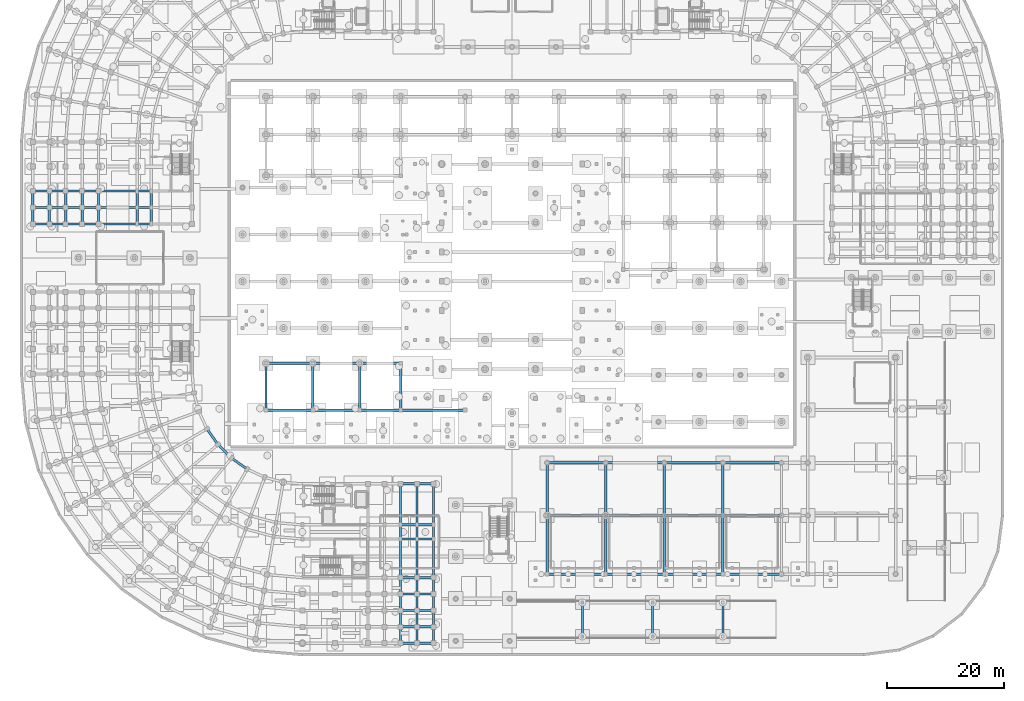
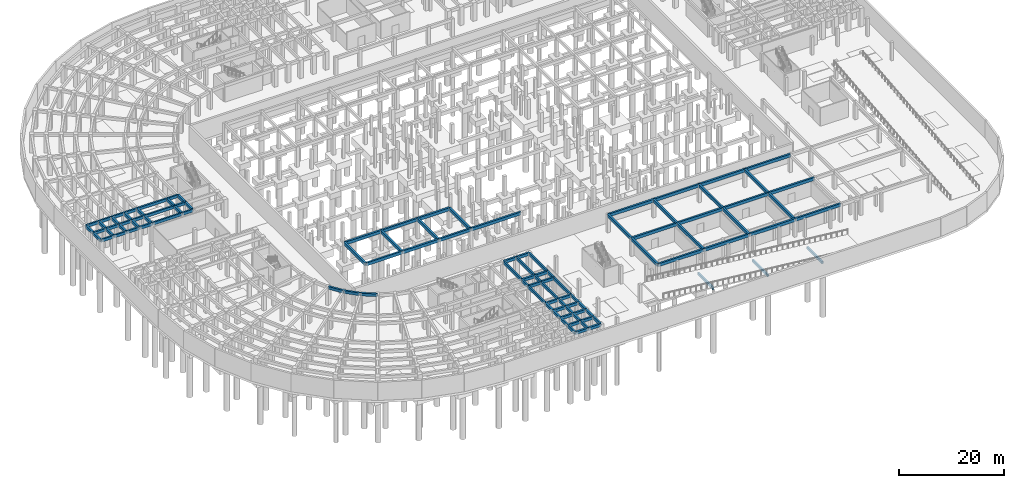
# One storey, part 21 of 53: 106 beams.
"""IFC4 building model written with IfcOpenShell, lengths in metres."""

from ifc_helpers import new_model, si_unit, direction, frame, origin, origin_2d, place, context, subcontext, project, spatial, rectangle, extrude, material, material_profile, profile_set, type_object, element, save


model = new_model("IFC4")

# Units and contexts
model_context = context("Model", 3, precision=1e-05, world=origin(), true_north=direction((0.0, 1.0)))
body_context = subcontext(model_context, "Body", "Model", "MODEL_VIEW")
ifc_project = project(units=[si_unit("LENGTHUNIT", "METRE"), si_unit("AREAUNIT", "SQUARE_METRE"), si_unit("VOLUMEUNIT", "CUBIC_METRE"), si_unit("PLANEANGLEUNIT", "RADIAN"), si_unit("MASSUNIT", "GRAM", prefix="KILO")], contexts=[model_context])

# Site, building, storey
site_placement = place(None, origin())
site = spatial("IfcSite", under=ifc_project, at=site_placement, CompositionType="ELEMENT")
building_placement = place(site_placement, origin())
building = spatial("IfcBuilding", under=site, at=building_placement, Name="Kiranvali Square Residences", CompositionType="ELEMENT")
storey_placement = place(building_placement, frame((0.0, 0.0, -4.5)))
storey = spatial("IfcBuildingStorey", under=building, at=storey_placement, Name="B1", CompositionType="ELEMENT", Elevation=-4.5)

# Beams
ifc_material_1 = material(Name="Concrete M40 (40 MPa)", Category="concrete")
ifc_material_profile_1 = material_profile(ifc_material_1, rectangle(XDim=0.35009765625, YDim=0.550048828125, at=origin_2d()), Name="RC 350x550")
ifc_profile_set_1 = profile_set([ifc_material_profile_1], Name="Concrete M40 (40 MPa)")
beam_type_1 = type_object("IfcBeamType", Name="BM-M40-350x550", PredefinedType="BEAM", material=ifc_profile_set_1)
for number, where, z_axis, x_axis, name in (
    (1, (96.0, 3.35009765625, 2.7451171875), (0.0, 1.0, 0.0), (-1.0, 0.0, 0.0), "B1 beam BM-VR1-SUP-1"),
    (2, (108.0, 3.35009765625, 1.544921875), (0.0, 1.0, 0.0), (-1.0, 0.0, 0.0), "B1 beam BM-VR1-SUP-2"),
    (3, (120.0, 3.35009765625, 0.344970703125), (0.0, 1.0, 0.0), (-1.0, 0.0, 0.0), "B1 beam BM-VR1-SUP-3"),
):
    element("IfcBeam", number, at=place(storey_placement, frame(where, z_axis=z_axis, x_axis=x_axis)), inside=storey, type_object=beam_type_1, Name=name, PredefinedType="BEAM", context=body_context, shape_type="SweptSolid", body=[
        extrude(rectangle(XDim=0.35009765625, YDim=0.550048828125, at=origin_2d()), origin(), (0.0, 0.0, 1.0), 5.7998046875),
    ])
ifc_material_profile_2 = material_profile(ifc_material_1, rectangle(XDim=0.35009765625, YDim=0.64990234375, at=origin_2d()), Name="RC 350x650")
ifc_profile_set_2 = profile_set([ifc_material_profile_2], Name="Concrete M40 (40 MPa)")
beam_type_2 = type_object("IfcBeamType", Name="BM-M40-350x650", PredefinedType="BEAM", material=ifc_profile_set_2)
beam_1_placement = place(storey_placement, frame((22.39990234375, 79.39990234375, 3.955078125), z_axis=(-1.0, 0.0, 0.0), x_axis=(0.0, -1.0, 0.0)))
element("IfcBeam", 4, at=beam_1_placement, inside=storey, type_object=beam_type_2, Name="B1 beam BM-A-B1-A2T1-12", PredefinedType="BEAM", context=body_context, shape_type="SweptSolid", body=[
    extrude(rectangle(XDim=0.35009765625, YDim=0.64990234375, at=origin_2d()), origin(), (0.0, 0.0, 1.0), 2.39990234375),
])
beam_2_placement = place(storey_placement, frame((20.0, 79.39990234375, 3.955078125), z_axis=(-1.0, 0.0, 0.0), x_axis=(0.0, -1.0, 0.0)))
element("IfcBeam", 5, at=beam_2_placement, inside=storey, type_object=beam_type_2, Name="B1 beam BM-A-B1-A2T1-23", PredefinedType="BEAM", context=body_context, shape_type="SweptSolid", body=[
    extrude(rectangle(XDim=0.35009765625, YDim=0.64990234375, at=origin_2d()), origin(), (0.0, 0.0, 1.0), 6.60009765625),
])
beam_3_placement = place(storey_placement, frame((13.39990234375, 79.39990234375, 3.955078125), z_axis=(-1.0, 0.0, 0.0), x_axis=(0.0, -1.0, 0.0)))
element("IfcBeam", 6, at=beam_3_placement, inside=storey, type_object=beam_type_2, Name="B1 beam BM-A-B1-A2T1-34", PredefinedType="BEAM", context=body_context, shape_type="SweptSolid", body=[
    extrude(rectangle(XDim=0.35009765625, YDim=0.64990234375, at=origin_2d()), origin(), (0.0, 0.0, 1.0), 2.7998046875),
])
for number, where, z_axis, x_axis, name in (
    (7, (10.60009765625, 79.39990234375, 3.955078125), (-1.0, 0.0, 0.0), (0.0, -1.0, 0.0), "B1 beam BM-A-B1-A2T1-45"),
    (8, (7.800048828125, 79.39990234375, 3.955078125), (-1.0, 0.0, 0.0), (0.0, -1.0, 0.0), "B1 beam BM-A-B1-A2T1-56"),
    (9, (5.0, 79.39990234375, 3.955078125), (-1.0, 0.0, 0.0), (0.0, -1.0, 0.0), "B1 beam BM-A-B1-A2T1-67"),
):
    element("IfcBeam", number, at=place(storey_placement, frame(where, z_axis=z_axis, x_axis=x_axis)), inside=storey, type_object=beam_type_2, Name=name, PredefinedType="BEAM", context=body_context, shape_type="SweptSolid", body=[
        extrude(rectangle(XDim=0.35009765625, YDim=0.64990234375, at=origin_2d()), origin(), (0.0, 0.0, 1.0), 2.800048828125),
    ])
beam_4_placement = place(storey_placement, frame((22.39990234375, 76.60009765625, 3.955078125), z_axis=(-1.0, 0.0, 0.0), x_axis=(0.0, -1.0, 0.0)))
element("IfcBeam", 10, at=beam_4_placement, inside=storey, type_object=beam_type_2, Name="B1 beam BM-A-B1-A2T2-12", PredefinedType="BEAM", context=body_context, shape_type="SweptSolid", body=[
    extrude(rectangle(XDim=0.35009765625, YDim=0.64990234375, at=origin_2d()), origin(), (0.0, 0.0, 1.0), 2.39990234375),
])
beam_5_placement = place(storey_placement, frame((20.0, 76.60009765625, 3.955078125), z_axis=(-1.0, 0.0, 0.0), x_axis=(0.0, -1.0, 0.0)))
element("IfcBeam", 11, at=beam_5_placement, inside=storey, type_object=beam_type_2, Name="B1 beam BM-A-B1-A2T2-23", PredefinedType="BEAM", context=body_context, shape_type="SweptSolid", body=[
    extrude(rectangle(XDim=0.35009765625, YDim=0.64990234375, at=origin_2d()), origin(), (0.0, 0.0, 1.0), 6.60009765625),
])
beam_6_placement = place(storey_placement, frame((13.39990234375, 76.60009765625, 3.955078125), z_axis=(-1.0, 0.0, 0.0), x_axis=(0.0, -1.0, 0.0)))
element("IfcBeam", 12, at=beam_6_placement, inside=storey, type_object=beam_type_2, Name="B1 beam BM-A-B1-A2T2-34", PredefinedType="BEAM", context=body_context, shape_type="SweptSolid", body=[
    extrude(rectangle(XDim=0.35009765625, YDim=0.64990234375, at=origin_2d()), origin(), (0.0, 0.0, 1.0), 2.7998046875),
])
for number, where, z_axis, x_axis, name in (
    (13, (10.60009765625, 76.60009765625, 3.955078125), (-1.0, 0.0, 0.0), (0.0, -1.0, 0.0), "B1 beam BM-A-B1-A2T2-45"),
    (14, (7.800048828125, 76.60009765625, 3.955078125), (-1.0, 0.0, 0.0), (0.0, -1.0, 0.0), "B1 beam BM-A-B1-A2T2-56"),
    (15, (5.0, 76.60009765625, 3.955078125), (-1.0, 0.0, 0.0), (0.0, -1.0, 0.0), "B1 beam BM-A-B1-A2T2-67"),
):
    element("IfcBeam", number, at=place(storey_placement, frame(where, z_axis=z_axis, x_axis=x_axis)), inside=storey, type_object=beam_type_2, Name=name, PredefinedType="BEAM", context=body_context, shape_type="SweptSolid", body=[
        extrude(rectangle(XDim=0.35009765625, YDim=0.64990234375, at=origin_2d()), origin(), (0.0, 0.0, 1.0), 2.800048828125),
    ])
beam_7_placement = place(storey_placement, frame((22.39990234375, 73.800048828125, 3.955078125), z_axis=(-1.0, 0.0, 0.0), x_axis=(0.0, -1.0, 0.0)))
element("IfcBeam", 16, at=beam_7_placement, inside=storey, type_object=beam_type_2, Name="B1 beam BM-A-B1-A2T3-12", PredefinedType="BEAM", context=body_context, shape_type="SweptSolid", body=[
    extrude(rectangle(XDim=0.35009765625, YDim=0.64990234375, at=origin_2d()), origin(), (0.0, 0.0, 1.0), 2.39990234375),
])
beam_8_placement = place(storey_placement, frame((20.0, 73.800048828125, 3.955078125), z_axis=(-1.0, 0.0, 0.0), x_axis=(0.0, -1.0, 0.0)))
element("IfcBeam", 17, at=beam_8_placement, inside=storey, type_object=beam_type_2, Name="B1 beam BM-A-B1-A2T3-23", PredefinedType="BEAM", context=body_context, shape_type="SweptSolid", body=[
    extrude(rectangle(XDim=0.35009765625, YDim=0.64990234375, at=origin_2d()), origin(), (0.0, 0.0, 1.0), 6.60009765625),
])
beam_9_placement = place(storey_placement, frame((13.39990234375, 73.800048828125, 3.955078125), z_axis=(-1.0, 0.0, 0.0), x_axis=(0.0, -1.0, 0.0)))
element("IfcBeam", 18, at=beam_9_placement, inside=storey, type_object=beam_type_2, Name="B1 beam BM-A-B1-A2T3-34", PredefinedType="BEAM", context=body_context, shape_type="SweptSolid", body=[
    extrude(rectangle(XDim=0.35009765625, YDim=0.64990234375, at=origin_2d()), origin(), (0.0, 0.0, 1.0), 2.7998046875),
])
for number, where, z_axis, x_axis, name in (
    (19, (10.60009765625, 73.800048828125, 3.955078125), (-1.0, 0.0, 0.0), (0.0, -1.0, 0.0), "B1 beam BM-A-B1-A2T3-45"),
    (20, (7.800048828125, 73.800048828125, 3.955078125), (-1.0, 0.0, 0.0), (0.0, -1.0, 0.0), "B1 beam BM-A-B1-A2T3-56"),
    (21, (5.0, 73.800048828125, 3.955078125), (-1.0, 0.0, 0.0), (0.0, -1.0, 0.0), "B1 beam BM-A-B1-A2T3-67"),
):
    element("IfcBeam", number, at=place(storey_placement, frame(where, z_axis=z_axis, x_axis=x_axis)), inside=storey, type_object=beam_type_2, Name=name, PredefinedType="BEAM", context=body_context, shape_type="SweptSolid", body=[
        extrude(rectangle(XDim=0.35009765625, YDim=0.64990234375, at=origin_2d()), origin(), (0.0, 0.0, 1.0), 2.800048828125),
    ])
beam_10_placement = place(storey_placement, frame((65.0, 29.39990234375, 3.955078125), z_axis=(0.0, -1.0, 0.0), x_axis=(1.0, 0.0, 0.0)))
element("IfcBeam", 22, at=beam_10_placement, inside=storey, type_object=beam_type_2, Name="B1 beam BM-C-B1-A1T3-01", PredefinedType="BEAM", context=body_context, shape_type="SweptSolid", body=[
    extrude(rectangle(XDim=0.35009765625, YDim=0.64990234375, at=origin_2d()), origin(), (0.0, 0.0, 1.0), 7.0),
])
beam_11_placement = place(storey_placement, frame((65.0, 22.39990234375, 3.955078125), z_axis=(0.0, -1.0, 0.0), x_axis=(1.0, 0.0, 0.0)))
element("IfcBeam", 23, at=beam_11_placement, inside=storey, type_object=beam_type_2, Name="B1 beam BM-C-B1-A1T3-12", PredefinedType="BEAM", context=body_context, shape_type="SweptSolid", body=[
    extrude(rectangle(XDim=0.35009765625, YDim=0.64990234375, at=origin_2d()), origin(), (0.0, 0.0, 1.0), 2.39990234375),
])
beam_12_placement = place(storey_placement, frame((65.0, 20.0, 3.955078125), z_axis=(0.0, -1.0, 0.0), x_axis=(1.0, 0.0, 0.0)))
element("IfcBeam", 24, at=beam_12_placement, inside=storey, type_object=beam_type_2, Name="B1 beam BM-C-B1-A1T3-23", PredefinedType="BEAM", context=body_context, shape_type="SweptSolid", body=[
    extrude(rectangle(XDim=0.35009765625, YDim=0.64990234375, at=origin_2d()), origin(), (0.0, 0.0, 1.0), 6.60009765625),
])
beam_13_placement = place(storey_placement, frame((65.0, 13.39990234375, 3.955078125), z_axis=(0.0, -1.0, 0.0), x_axis=(1.0, 0.0, 0.0)))
element("IfcBeam", 25, at=beam_13_placement, inside=storey, type_object=beam_type_2, Name="B1 beam BM-C-B1-A1T3-34", PredefinedType="BEAM", context=body_context, shape_type="SweptSolid", body=[
    extrude(rectangle(XDim=0.35009765625, YDim=0.64990234375, at=origin_2d()), origin(), (0.0, 0.0, 1.0), 2.7998046875),
])
for number, where, z_axis, x_axis, name in (
    (26, (65.0, 10.60009765625, 3.955078125), (0.0, -1.0, 0.0), (1.0, 0.0, 0.0), "B1 beam BM-C-B1-A1T3-45"),
    (27, (65.0, 7.800048828125, 3.955078125), (0.0, -1.0, 0.0), (1.0, 0.0, 0.0), "B1 beam BM-C-B1-A1T3-56"),
    (28, (65.0, 5.0, 3.955078125), (0.0, -1.0, 0.0), (1.0, 0.0, 0.0), "B1 beam BM-C-B1-A1T3-67"),
):
    element("IfcBeam", number, at=place(storey_placement, frame(where, z_axis=z_axis, x_axis=x_axis)), inside=storey, type_object=beam_type_2, Name=name, PredefinedType="BEAM", context=body_context, shape_type="SweptSolid", body=[
        extrude(rectangle(XDim=0.35009765625, YDim=0.64990234375, at=origin_2d()), origin(), (0.0, 0.0, 1.0), 2.800048828125),
    ])
beam_14_placement = place(storey_placement, frame((67.800048828125, 29.39990234375, 3.955078125), z_axis=(0.0, -1.0, 0.0), x_axis=(1.0, 0.0, 0.0)))
element("IfcBeam", 29, at=beam_14_placement, inside=storey, type_object=beam_type_2, Name="B1 beam BM-C-B1-A1T4-01", PredefinedType="BEAM", context=body_context, shape_type="SweptSolid", body=[
    extrude(rectangle(XDim=0.35009765625, YDim=0.64990234375, at=origin_2d()), origin(), (0.0, 0.0, 1.0), 7.0),
])
beam_15_placement = place(storey_placement, frame((67.800048828125, 22.39990234375, 3.955078125), z_axis=(0.0, -1.0, 0.0), x_axis=(1.0, 0.0, 0.0)))
element("IfcBeam", 30, at=beam_15_placement, inside=storey, type_object=beam_type_2, Name="B1 beam BM-C-B1-A1T4-12", PredefinedType="BEAM", context=body_context, shape_type="SweptSolid", body=[
    extrude(rectangle(XDim=0.35009765625, YDim=0.64990234375, at=origin_2d()), origin(), (0.0, 0.0, 1.0), 2.39990234375),
])
beam_16_placement = place(storey_placement, frame((67.800048828125, 20.0, 3.955078125), z_axis=(0.0, -1.0, 0.0), x_axis=(1.0, 0.0, 0.0)))
element("IfcBeam", 31, at=beam_16_placement, inside=storey, type_object=beam_type_2, Name="B1 beam BM-C-B1-A1T4-23", PredefinedType="BEAM", context=body_context, shape_type="SweptSolid", body=[
    extrude(rectangle(XDim=0.35009765625, YDim=0.64990234375, at=origin_2d()), origin(), (0.0, 0.0, 1.0), 6.60009765625),
])
beam_17_placement = place(storey_placement, frame((67.800048828125, 13.39990234375, 3.955078125), z_axis=(0.0, -1.0, 0.0), x_axis=(1.0, 0.0, 0.0)))
element("IfcBeam", 32, at=beam_17_placement, inside=storey, type_object=beam_type_2, Name="B1 beam BM-C-B1-A1T4-34", PredefinedType="BEAM", context=body_context, shape_type="SweptSolid", body=[
    extrude(rectangle(XDim=0.35009765625, YDim=0.64990234375, at=origin_2d()), origin(), (0.0, 0.0, 1.0), 2.7998046875),
])
for number, where, z_axis, x_axis, name in (
    (33, (67.800048828125, 10.60009765625, 3.955078125), (0.0, -1.0, 0.0), (1.0, 0.0, 0.0), "B1 beam BM-C-B1-A1T4-45"),
    (34, (67.800048828125, 7.800048828125, 3.955078125), (0.0, -1.0, 0.0), (1.0, 0.0, 0.0), "B1 beam BM-C-B1-A1T4-56"),
    (35, (67.800048828125, 5.0, 3.955078125), (0.0, -1.0, 0.0), (1.0, 0.0, 0.0), "B1 beam BM-C-B1-A1T4-67"),
):
    element("IfcBeam", number, at=place(storey_placement, frame(where, z_axis=z_axis, x_axis=x_axis)), inside=storey, type_object=beam_type_2, Name=name, PredefinedType="BEAM", context=body_context, shape_type="SweptSolid", body=[
        extrude(rectangle(XDim=0.35009765625, YDim=0.64990234375, at=origin_2d()), origin(), (0.0, 0.0, 1.0), 2.800048828125),
    ])
beam_18_placement = place(storey_placement, frame((70.60009765625, 29.39990234375, 3.955078125), z_axis=(0.0, -1.0, 0.0), x_axis=(1.0, 0.0, 0.0)))
element("IfcBeam", 36, at=beam_18_placement, inside=storey, type_object=beam_type_2, Name="B1 beam BM-C-B1-A1T5-01", PredefinedType="BEAM", context=body_context, shape_type="SweptSolid", body=[
    extrude(rectangle(XDim=0.35009765625, YDim=0.64990234375, at=origin_2d()), origin(), (0.0, 0.0, 1.0), 7.0),
])
beam_19_placement = place(storey_placement, frame((70.60009765625, 22.39990234375, 3.955078125), z_axis=(0.0, -1.0, 0.0), x_axis=(1.0, 0.0, 0.0)))
element("IfcBeam", 37, at=beam_19_placement, inside=storey, type_object=beam_type_2, Name="B1 beam BM-C-B1-A1T5-12", PredefinedType="BEAM", context=body_context, shape_type="SweptSolid", body=[
    extrude(rectangle(XDim=0.35009765625, YDim=0.64990234375, at=origin_2d()), origin(), (0.0, 0.0, 1.0), 2.39990234375),
])
beam_20_placement = place(storey_placement, frame((70.60009765625, 20.0, 3.955078125), z_axis=(0.0, -1.0, 0.0), x_axis=(1.0, 0.0, 0.0)))
element("IfcBeam", 38, at=beam_20_placement, inside=storey, type_object=beam_type_2, Name="B1 beam BM-C-B1-A1T5-23", PredefinedType="BEAM", context=body_context, shape_type="SweptSolid", body=[
    extrude(rectangle(XDim=0.35009765625, YDim=0.64990234375, at=origin_2d()), origin(), (0.0, 0.0, 1.0), 6.60009765625),
])
beam_21_placement = place(storey_placement, frame((70.60009765625, 13.39990234375, 3.955078125), z_axis=(0.0, -1.0, 0.0), x_axis=(1.0, 0.0, 0.0)))
element("IfcBeam", 39, at=beam_21_placement, inside=storey, type_object=beam_type_2, Name="B1 beam BM-C-B1-A1T5-34", PredefinedType="BEAM", context=body_context, shape_type="SweptSolid", body=[
    extrude(rectangle(XDim=0.35009765625, YDim=0.64990234375, at=origin_2d()), origin(), (0.0, 0.0, 1.0), 2.7998046875),
])
for number, where, z_axis, x_axis, name in (
    (40, (70.60009765625, 10.60009765625, 3.955078125), (0.0, -1.0, 0.0), (1.0, 0.0, 0.0), "B1 beam BM-C-B1-A1T5-45"),
    (41, (70.60009765625, 7.800048828125, 3.955078125), (0.0, -1.0, 0.0), (1.0, 0.0, 0.0), "B1 beam BM-C-B1-A1T5-56"),
    (42, (70.60009765625, 5.0, 3.955078125), (0.0, -1.0, 0.0), (1.0, 0.0, 0.0), "B1 beam BM-C-B1-A1T5-67"),
):
    element("IfcBeam", number, at=place(storey_placement, frame(where, z_axis=z_axis, x_axis=x_axis)), inside=storey, type_object=beam_type_2, Name=name, PredefinedType="BEAM", context=body_context, shape_type="SweptSolid", body=[
        extrude(rectangle(XDim=0.35009765625, YDim=0.64990234375, at=origin_2d()), origin(), (0.0, 0.0, 1.0), 2.800048828125),
    ])
ifc_material_2 = material(Name="Concrete M45 (45 MPa)", Category="concrete")
ifc_material_profile_3 = material_profile(ifc_material_2, rectangle(XDim=0.39990234375, YDim=0.64990234375, at=origin_2d()), Name="RC 400x650")
ifc_profile_set_3 = profile_set([ifc_material_profile_3], Name="Concrete M45 (45 MPa)")
beam_type_3 = type_object("IfcBeamType", Name="BM-M45-400x650", PredefinedType="BEAM", material=ifc_profile_set_3)
beam_22_placement = place(storey_placement, frame((22.39990234375, 79.39990234375, 3.955078125), z_axis=(0.0, -1.0, 0.0), x_axis=(1.0, 0.0, 0.0)))
element("IfcBeam", 43, at=beam_22_placement, inside=storey, type_object=beam_type_3, Name="B1 beam BM-A-B1-A2V1-R1", PredefinedType="BEAM", context=body_context, shape_type="SweptSolid", body=[
    extrude(rectangle(XDim=0.39990234375, YDim=0.64990234375, at=origin_2d()), origin(), (0.0, 0.0, 1.0), 2.7998046875),
])
beam_23_placement = place(storey_placement, frame((22.39990234375, 76.60009765625, 3.955078125), z_axis=(0.0, -1.0, 0.0), x_axis=(1.0, 0.0, 0.0)))
element("IfcBeam", 44, at=beam_23_placement, inside=storey, type_object=beam_type_3, Name="B1 beam BM-A-B1-A2V2-R1", PredefinedType="BEAM", context=body_context, shape_type="SweptSolid", body=[
    extrude(rectangle(XDim=0.39990234375, YDim=0.64990234375, at=origin_2d()), origin(), (0.0, 0.0, 1.0), 2.800048828125),
])
beam_24_placement = place(storey_placement, frame((20.0, 79.39990234375, 3.955078125), z_axis=(0.0, -1.0, 0.0), x_axis=(1.0, 0.0, 0.0)))
element("IfcBeam", 45, at=beam_24_placement, inside=storey, type_object=beam_type_3, Name="B1 beam BM-A-B1-A2V2-R2", PredefinedType="BEAM", context=body_context, shape_type="SweptSolid", body=[
    extrude(rectangle(XDim=0.39990234375, YDim=0.64990234375, at=origin_2d()), origin(), (0.0, 0.0, 1.0), 2.7998046875),
])
beam_25_placement = place(storey_placement, frame((20.0, 76.60009765625, 3.955078125), z_axis=(0.0, -1.0, 0.0), x_axis=(1.0, 0.0, 0.0)))
element("IfcBeam", 46, at=beam_25_placement, inside=storey, type_object=beam_type_3, Name="B1 beam BM-A-B1-A2V3-R2", PredefinedType="BEAM", context=body_context, shape_type="SweptSolid", body=[
    extrude(rectangle(XDim=0.39990234375, YDim=0.64990234375, at=origin_2d()), origin(), (0.0, 0.0, 1.0), 2.800048828125),
])
beam_26_placement = place(storey_placement, frame((13.39990234375, 79.39990234375, 3.955078125), z_axis=(0.0, -1.0, 0.0), x_axis=(1.0, 0.0, 0.0)))
element("IfcBeam", 47, at=beam_26_placement, inside=storey, type_object=beam_type_3, Name="B1 beam BM-A-B1-A2V2-R3", PredefinedType="BEAM", context=body_context, shape_type="SweptSolid", body=[
    extrude(rectangle(XDim=0.39990234375, YDim=0.64990234375, at=origin_2d()), origin(), (0.0, 0.0, 1.0), 2.7998046875),
])
beam_27_placement = place(storey_placement, frame((13.39990234375, 76.60009765625, 3.955078125), z_axis=(0.0, -1.0, 0.0), x_axis=(1.0, 0.0, 0.0)))
element("IfcBeam", 48, at=beam_27_placement, inside=storey, type_object=beam_type_3, Name="B1 beam BM-A-B1-A2V3-R3", PredefinedType="BEAM", context=body_context, shape_type="SweptSolid", body=[
    extrude(rectangle(XDim=0.39990234375, YDim=0.64990234375, at=origin_2d()), origin(), (0.0, 0.0, 1.0), 2.800048828125),
])
beam_28_placement = place(storey_placement, frame((10.60009765625, 79.39990234375, 3.955078125), z_axis=(0.0, -1.0, 0.0), x_axis=(1.0, 0.0, 0.0)))
element("IfcBeam", 49, at=beam_28_placement, inside=storey, type_object=beam_type_3, Name="B1 beam BM-A-B1-A2V2-R4", PredefinedType="BEAM", context=body_context, shape_type="SweptSolid", body=[
    extrude(rectangle(XDim=0.39990234375, YDim=0.64990234375, at=origin_2d()), origin(), (0.0, 0.0, 1.0), 2.7998046875),
])
beam_29_placement = place(storey_placement, frame((10.60009765625, 76.60009765625, 3.955078125), z_axis=(0.0, -1.0, 0.0), x_axis=(1.0, 0.0, 0.0)))
element("IfcBeam", 50, at=beam_29_placement, inside=storey, type_object=beam_type_3, Name="B1 beam BM-A-B1-A2V3-R4", PredefinedType="BEAM", context=body_context, shape_type="SweptSolid", body=[
    extrude(rectangle(XDim=0.39990234375, YDim=0.64990234375, at=origin_2d()), origin(), (0.0, 0.0, 1.0), 2.800048828125),
])
beam_30_placement = place(storey_placement, frame((7.800048828125, 79.39990234375, 3.955078125), z_axis=(0.0, -1.0, 0.0), x_axis=(1.0, 0.0, 0.0)))
element("IfcBeam", 51, at=beam_30_placement, inside=storey, type_object=beam_type_3, Name="B1 beam BM-A-B1-A2V2-R5", PredefinedType="BEAM", context=body_context, shape_type="SweptSolid", body=[
    extrude(rectangle(XDim=0.39990234375, YDim=0.64990234375, at=origin_2d()), origin(), (0.0, 0.0, 1.0), 2.7998046875),
])
beam_31_placement = place(storey_placement, frame((7.800048828125, 76.60009765625, 3.955078125), z_axis=(0.0, -1.0, 0.0), x_axis=(1.0, 0.0, 0.0)))
element("IfcBeam", 52, at=beam_31_placement, inside=storey, type_object=beam_type_3, Name="B1 beam BM-A-B1-A2V3-R5", PredefinedType="BEAM", context=body_context, shape_type="SweptSolid", body=[
    extrude(rectangle(XDim=0.39990234375, YDim=0.64990234375, at=origin_2d()), origin(), (0.0, 0.0, 1.0), 2.800048828125),
])
beam_32_placement = place(storey_placement, frame((5.0, 79.39990234375, 3.955078125), z_axis=(0.0, -1.0, 0.0), x_axis=(1.0, 0.0, 0.0)))
element("IfcBeam", 53, at=beam_32_placement, inside=storey, type_object=beam_type_3, Name="B1 beam BM-A-B1-A2V2-R6", PredefinedType="BEAM", context=body_context, shape_type="SweptSolid", body=[
    extrude(rectangle(XDim=0.39990234375, YDim=0.64990234375, at=origin_2d()), origin(), (0.0, 0.0, 1.0), 2.7998046875),
])
beam_33_placement = place(storey_placement, frame((5.0, 76.60009765625, 3.955078125), z_axis=(0.0, -1.0, 0.0), x_axis=(1.0, 0.0, 0.0)))
element("IfcBeam", 54, at=beam_33_placement, inside=storey, type_object=beam_type_3, Name="B1 beam BM-A-B1-A2V3-R6", PredefinedType="BEAM", context=body_context, shape_type="SweptSolid", body=[
    extrude(rectangle(XDim=0.39990234375, YDim=0.64990234375, at=origin_2d()), origin(), (0.0, 0.0, 1.0), 2.800048828125),
])
beam_34_placement = place(storey_placement, frame((2.199951171875, 79.39990234375, 3.955078125), z_axis=(0.0, -1.0, 0.0), x_axis=(1.0, 0.0, 0.0)))
element("IfcBeam", 55, at=beam_34_placement, inside=storey, type_object=beam_type_3, Name="B1 beam BM-A-B1-A2V2-R7", PredefinedType="BEAM", context=body_context, shape_type="SweptSolid", body=[
    extrude(rectangle(XDim=0.39990234375, YDim=0.64990234375, at=origin_2d()), origin(), (0.0, 0.0, 1.0), 2.7998046875),
])
beam_35_placement = place(storey_placement, frame((2.199951171875, 76.60009765625, 3.955078125), z_axis=(0.0, -1.0, 0.0), x_axis=(1.0, 0.0, 0.0)))
element("IfcBeam", 56, at=beam_35_placement, inside=storey, type_object=beam_type_3, Name="B1 beam BM-A-B1-A2V3-R7", PredefinedType="BEAM", context=body_context, shape_type="SweptSolid", body=[
    extrude(rectangle(XDim=0.39990234375, YDim=0.64990234375, at=origin_2d()), origin(), (0.0, 0.0, 1.0), 2.800048828125),
])
beam_36_placement = place(storey_placement, frame((38.800048828125, 31.918701171875, 3.955078125), z_axis=(-0.81916891812, 0.573552337269, 0.0), x_axis=(-0.573552337269, -0.81916891812, 0.0)))
element("IfcBeam", 57, at=beam_36_placement, inside=storey, type_object=beam_type_3, Name="B1 beam BM-C-B1-C03-R0", PredefinedType="BEAM", context=body_context, shape_type="SweptSolid", body=[
    extrude(rectangle(XDim=0.39990234375, YDim=0.64990234375, at=origin_2d()), origin(), (0.0, 0.0, 1.0), 3.277099609375),
])
beam_37_placement = place(storey_placement, frame((36.115478515625, 33.79833984375, 3.955078125), z_axis=(-0.707106781187, 0.707106781187, 0.0), x_axis=(-0.707106781187, -0.707106781187, 0.0)))
element("IfcBeam", 58, at=beam_37_placement, inside=storey, type_object=beam_type_3, Name="B1 beam BM-C-B1-C04-R0", PredefinedType="BEAM", context=body_context, shape_type="SweptSolid", body=[
    extrude(rectangle(XDim=0.39990234375, YDim=0.64990234375, at=origin_2d()), origin(), (0.0, 0.0, 1.0), 3.27685546875),
])
beam_38_placement = place(storey_placement, frame((33.79833984375, 36.115478515625, 3.955078125), z_axis=(-0.573552337269, 0.81916891812, 0.0), x_axis=(-0.81916891812, -0.573552337269, 0.0)))
element("IfcBeam", 59, at=beam_38_placement, inside=storey, type_object=beam_type_3, Name="B1 beam BM-C-B1-C05-R0", PredefinedType="BEAM", context=body_context, shape_type="SweptSolid", body=[
    extrude(rectangle(XDim=0.39990234375, YDim=0.64990234375, at=origin_2d()), origin(), (0.0, 0.0, 1.0), 3.277099609375),
])
for number, where, z_axis, x_axis, name in (
    (60, (65.0, 29.39990234375, 3.955078125), (1.0, 0.0, 0.0), (0.0, 1.0, 0.0), "B1 beam BM-C-B1-A1U3-R0"),
    (61, (67.800048828125, 29.39990234375, 3.955078125), (1.0, 0.0, 0.0), (0.0, 1.0, 0.0), "B1 beam BM-C-B1-A1U4-R0"),
    (62, (65.0, 22.39990234375, 3.955078125), (1.0, 0.0, 0.0), (0.0, 1.0, 0.0), "B1 beam BM-C-B1-A1U3-R1"),
    (63, (67.800048828125, 22.39990234375, 3.955078125), (1.0, 0.0, 0.0), (0.0, 1.0, 0.0), "B1 beam BM-C-B1-A1U4-R1"),
    (64, (65.0, 20.0, 3.955078125), (1.0, 0.0, 0.0), (0.0, 1.0, 0.0), "B1 beam BM-C-B1-A1U3-R2"),
    (65, (67.800048828125, 20.0, 3.955078125), (1.0, 0.0, 0.0), (0.0, 1.0, 0.0), "B1 beam BM-C-B1-A1U4-R2"),
    (66, (65.0, 13.39990234375, 3.955078125), (1.0, 0.0, 0.0), (0.0, 1.0, 0.0), "B1 beam BM-C-B1-A1U3-R3"),
    (67, (67.800048828125, 13.39990234375, 3.955078125), (1.0, 0.0, 0.0), (0.0, 1.0, 0.0), "B1 beam BM-C-B1-A1U4-R3"),
    (68, (65.0, 10.60009765625, 3.955078125), (1.0, 0.0, 0.0), (0.0, 1.0, 0.0), "B1 beam BM-C-B1-A1U4-R4"),
    (69, (67.800048828125, 10.60009765625, 3.955078125), (1.0, 0.0, 0.0), (0.0, 1.0, 0.0), "B1 beam BM-C-B1-A1U5-R4"),
    (70, (65.0, 7.800048828125, 3.955078125), (1.0, 0.0, 0.0), (0.0, 1.0, 0.0), "B1 beam BM-C-B1-A1U4-R5"),
    (71, (67.800048828125, 7.800048828125, 3.955078125), (1.0, 0.0, 0.0), (0.0, 1.0, 0.0), "B1 beam BM-C-B1-A1U5-R5"),
    (72, (65.0, 5.0, 3.955078125), (1.0, 0.0, 0.0), (0.0, 1.0, 0.0), "B1 beam BM-C-B1-A1U4-R6"),
    (73, (67.800048828125, 5.0, 3.955078125), (1.0, 0.0, 0.0), (0.0, 1.0, 0.0), "B1 beam BM-C-B1-A1U5-R6"),
    (74, (65.0, 2.199951171875, 3.955078125), (1.0, 0.0, 0.0), (0.0, 1.0, 0.0), "B1 beam BM-C-B1-A1U4-R7"),
    (75, (67.800048828125, 2.199951171875, 3.955078125), (1.0, 0.0, 0.0), (0.0, 1.0, 0.0), "B1 beam BM-C-B1-A1U5-R7"),
):
    element("IfcBeam", number, at=place(storey_placement, frame(where, z_axis=z_axis, x_axis=x_axis)), inside=storey, type_object=beam_type_3, Name=name, PredefinedType="BEAM", context=body_context, shape_type="SweptSolid", body=[
        extrude(rectangle(XDim=0.39990234375, YDim=0.64990234375, at=origin_2d()), origin(), (0.0, 0.0, 1.0), 2.800048828125),
    ])
ifc_material_profile_4 = material_profile(ifc_material_2, rectangle(XDim=0.39990234375, YDim=0.699951171875, at=origin_2d()), Name="RC 400x700")
ifc_profile_set_4 = profile_set([ifc_material_profile_4], Name="Concrete M45 (45 MPa)")
beam_type_4 = type_object("IfcBeamType", Name="BM-M45-400x700", PredefinedType="BEAM", material=ifc_profile_set_4)
for number, where, z_axis, x_axis, name in (
    (76, (90.0, 14.0, 3.85009765625), (1.0, 0.0, 0.0), (0.0, 1.0, 0.0), "B1 beam BM-B1-SE-14-1"),
    (77, (100.0, 14.0, 3.85009765625), (1.0, 0.0, 0.0), (0.0, 1.0, 0.0), "B1 beam BM-B1-SE-14-2"),
    (78, (110.0, 14.0, 3.85009765625), (1.0, 0.0, 0.0), (0.0, 1.0, 0.0), "B1 beam BM-B1-SE-14-3"),
    (79, (120.0, 14.0, 3.85009765625), (1.0, 0.0, 0.0), (0.0, 1.0, 0.0), "B1 beam BM-B1-SE-14-4"),
    (80, (90.0, 24.0, 3.85009765625), (1.0, 0.0, 0.0), (0.0, 1.0, 0.0), "B1 beam BM-B1-SE-24-1"),
    (81, (100.0, 24.0, 3.85009765625), (1.0, 0.0, 0.0), (0.0, 1.0, 0.0), "B1 beam BM-B1-SE-24-2"),
    (82, (110.0, 24.0, 3.85009765625), (1.0, 0.0, 0.0), (0.0, 1.0, 0.0), "B1 beam BM-B1-SE-24-3"),
    (83, (120.0, 24.0, 3.85009765625), (1.0, 0.0, 0.0), (0.0, 1.0, 0.0), "B1 beam BM-B1-SE-24-4"),
    (84, (90.0, 33.0, 3.85009765625), (1.0, 0.0, 0.0), (0.0, 1.0, 0.0), "B1 beam BM-B1-SE-33-1"),
    (85, (100.0, 33.0, 3.85009765625), (1.0, 0.0, 0.0), (0.0, 1.0, 0.0), "B1 beam BM-B1-SE-33-2"),
    (86, (110.0, 33.0, 3.85009765625), (1.0, 0.0, 0.0), (0.0, 1.0, 0.0), "B1 beam BM-B1-SE-33-3"),
    (87, (120.0, 33.0, 3.85009765625), (1.0, 0.0, 0.0), (0.0, 1.0, 0.0), "B1 beam BM-B1-SE-33-4"),
    (88, (90.0, 14.0, 3.85009765625), (0.0, 1.0, 0.0), (-1.0, 0.0, 0.0), "B1 beam BM-B1-SEY-90-1"),
):
    element("IfcBeam", number, at=place(storey_placement, frame(where, z_axis=z_axis, x_axis=x_axis)), inside=storey, type_object=beam_type_4, Name=name, PredefinedType="BEAM", context=body_context, shape_type="SweptSolid", body=[
        extrude(rectangle(XDim=0.39990234375, YDim=0.699951171875, at=origin_2d()), origin(), (0.0, 0.0, 1.0), 10.0),
    ])
beam_39_placement = place(storey_placement, frame((90.0, 24.0, 3.85009765625), z_axis=(0.0, 1.0, 0.0), x_axis=(-1.0, 0.0, 0.0)))
element("IfcBeam", 89, at=beam_39_placement, inside=storey, type_object=beam_type_4, Name="B1 beam BM-B1-SEY-90-2", PredefinedType="BEAM", context=body_context, shape_type="SweptSolid", body=[
    extrude(rectangle(XDim=0.39990234375, YDim=0.699951171875, at=origin_2d()), origin(), (0.0, 0.0, 1.0), 9.0),
])
beam_40_placement = place(storey_placement, frame((100.0, 14.0, 3.85009765625), z_axis=(0.0, 1.0, 0.0), x_axis=(-1.0, 0.0, 0.0)))
element("IfcBeam", 90, at=beam_40_placement, inside=storey, type_object=beam_type_4, Name="B1 beam BM-B1-SEY-100-1", PredefinedType="BEAM", context=body_context, shape_type="SweptSolid", body=[
    extrude(rectangle(XDim=0.39990234375, YDim=0.699951171875, at=origin_2d()), origin(), (0.0, 0.0, 1.0), 10.0),
])
beam_41_placement = place(storey_placement, frame((100.0, 24.0, 3.85009765625), z_axis=(0.0, 1.0, 0.0), x_axis=(-1.0, 0.0, 0.0)))
element("IfcBeam", 91, at=beam_41_placement, inside=storey, type_object=beam_type_4, Name="B1 beam BM-B1-SEY-100-2", PredefinedType="BEAM", context=body_context, shape_type="SweptSolid", body=[
    extrude(rectangle(XDim=0.39990234375, YDim=0.699951171875, at=origin_2d()), origin(), (0.0, 0.0, 1.0), 9.0),
])
beam_42_placement = place(storey_placement, frame((110.0, 14.0, 3.85009765625), z_axis=(0.0, 1.0, 0.0), x_axis=(-1.0, 0.0, 0.0)))
element("IfcBeam", 92, at=beam_42_placement, inside=storey, type_object=beam_type_4, Name="B1 beam BM-B1-SEY-110-1", PredefinedType="BEAM", context=body_context, shape_type="SweptSolid", body=[
    extrude(rectangle(XDim=0.39990234375, YDim=0.699951171875, at=origin_2d()), origin(), (0.0, 0.0, 1.0), 10.0),
])
beam_43_placement = place(storey_placement, frame((110.0, 24.0, 3.85009765625), z_axis=(0.0, 1.0, 0.0), x_axis=(-1.0, 0.0, 0.0)))
element("IfcBeam", 93, at=beam_43_placement, inside=storey, type_object=beam_type_4, Name="B1 beam BM-B1-SEY-110-2", PredefinedType="BEAM", context=body_context, shape_type="SweptSolid", body=[
    extrude(rectangle(XDim=0.39990234375, YDim=0.699951171875, at=origin_2d()), origin(), (0.0, 0.0, 1.0), 9.0),
])
beam_44_placement = place(storey_placement, frame((120.0, 14.0, 3.85009765625), z_axis=(0.0, 1.0, 0.0), x_axis=(-1.0, 0.0, 0.0)))
element("IfcBeam", 94, at=beam_44_placement, inside=storey, type_object=beam_type_4, Name="B1 beam BM-B1-SEY-120-1", PredefinedType="BEAM", context=body_context, shape_type="SweptSolid", body=[
    extrude(rectangle(XDim=0.39990234375, YDim=0.699951171875, at=origin_2d()), origin(), (0.0, 0.0, 1.0), 10.0),
])
beam_45_placement = place(storey_placement, frame((120.0, 24.0, 3.85009765625), z_axis=(0.0, 1.0, 0.0), x_axis=(-1.0, 0.0, 0.0)))
element("IfcBeam", 95, at=beam_45_placement, inside=storey, type_object=beam_type_4, Name="B1 beam BM-B1-SEY-120-2", PredefinedType="BEAM", context=body_context, shape_type="SweptSolid", body=[
    extrude(rectangle(XDim=0.39990234375, YDim=0.699951171875, at=origin_2d()), origin(), (0.0, 0.0, 1.0), 9.0),
])
for number, where, z_axis, x_axis, name in (
    (96, (42.0, 42.0, 3.85009765625), (1.0, 0.0, 0.0), (0.0, 1.0, 0.0), "B1 beam BM-B1-GDNX-420-1"),
    (97, (50.0, 42.0, 3.85009765625), (1.0, 0.0, 0.0), (0.0, 1.0, 0.0), "B1 beam BM-B1-GDNX-420-2"),
):
    element("IfcBeam", number, at=place(storey_placement, frame(where, z_axis=z_axis, x_axis=x_axis)), inside=storey, type_object=beam_type_4, Name=name, PredefinedType="BEAM", context=body_context, shape_type="SweptSolid", body=[
        extrude(rectangle(XDim=0.39990234375, YDim=0.699951171875, at=origin_2d()), origin(), (0.0, 0.0, 1.0), 8.0),
    ])
beam_46_placement = place(storey_placement, frame((58.0, 42.0, 3.85009765625), z_axis=(1.0, 0.0, 0.0), x_axis=(0.0, 1.0, 0.0)))
element("IfcBeam", 98, at=beam_46_placement, inside=storey, type_object=beam_type_4, Name="B1 beam BM-B1-GDNX-420-3", PredefinedType="BEAM", context=body_context, shape_type="SweptSolid", body=[
    extrude(rectangle(XDim=0.39990234375, YDim=0.699951171875, at=origin_2d()), origin(), (0.0, 0.0, 1.0), 7.0),
])
beam_47_placement = place(storey_placement, frame((65.0, 42.0, 3.85009765625), z_axis=(1.0, 0.0, 0.0), x_axis=(0.0, 1.0, 0.0)))
element("IfcBeam", 99, at=beam_47_placement, inside=storey, type_object=beam_type_4, Name="B1 beam BM-B1-GDNX-420-4", PredefinedType="BEAM", context=body_context, shape_type="SweptSolid", body=[
    extrude(rectangle(XDim=0.39990234375, YDim=0.699951171875, at=origin_2d()), origin(), (0.0, 0.0, 1.0), 11.0),
])
for number, where, z_axis, x_axis, name in (
    (100, (42.0, 50.0, 3.85009765625), (1.0, 0.0, 0.0), (0.0, 1.0, 0.0), "B1 beam BM-B1-GDNX-500-1"),
    (101, (50.0, 50.0, 3.85009765625), (1.0, 0.0, 0.0), (0.0, 1.0, 0.0), "B1 beam BM-B1-GDNX-500-2"),
):
    element("IfcBeam", number, at=place(storey_placement, frame(where, z_axis=z_axis, x_axis=x_axis)), inside=storey, type_object=beam_type_4, Name=name, PredefinedType="BEAM", context=body_context, shape_type="SweptSolid", body=[
        extrude(rectangle(XDim=0.39990234375, YDim=0.699951171875, at=origin_2d()), origin(), (0.0, 0.0, 1.0), 8.0),
    ])
beam_48_placement = place(storey_placement, frame((58.0, 50.0, 3.85009765625), z_axis=(1.0, 0.0, 0.0), x_axis=(0.0, 1.0, 0.0)))
element("IfcBeam", 102, at=beam_48_placement, inside=storey, type_object=beam_type_4, Name="B1 beam BM-B1-GDNX-500-3", PredefinedType="BEAM", context=body_context, shape_type="SweptSolid", body=[
    extrude(rectangle(XDim=0.39990234375, YDim=0.699951171875, at=origin_2d()), origin(), (0.0, 0.0, 1.0), 7.0),
])
for number, where, z_axis, x_axis, name in (
    (103, (42.0, 42.0, 3.85009765625), (0.0, 1.0, 0.0), (-1.0, 0.0, 0.0), "B1 beam BM-B1-GDNY-420-1"),
    (104, (50.0, 42.0, 3.85009765625), (0.0, 1.0, 0.0), (-1.0, 0.0, 0.0), "B1 beam BM-B1-GDNY-500-1"),
    (105, (58.0, 42.0, 3.85009765625), (0.0, 1.0, 0.0), (-1.0, 0.0, 0.0), "B1 beam BM-B1-GDNY-580-1"),
    (106, (65.0, 42.0, 3.85009765625), (0.0, 1.0, 0.0), (-1.0, 0.0, 0.0), "B1 beam BM-B1-GDNY-650-1"),
):
    element("IfcBeam", number, at=place(storey_placement, frame(where, z_axis=z_axis, x_axis=x_axis)), inside=storey, type_object=beam_type_4, Name=name, PredefinedType="BEAM", context=body_context, shape_type="SweptSolid", body=[
        extrude(rectangle(XDim=0.39990234375, YDim=0.699951171875, at=origin_2d()), origin(), (0.0, 0.0, 1.0), 8.0),
    ])

save(model, "model.ifc")
